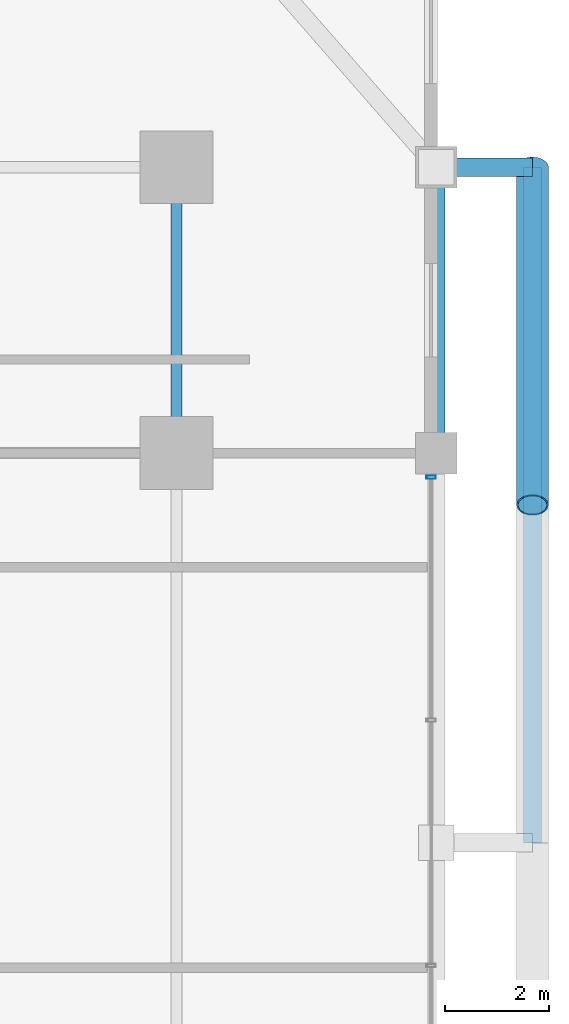
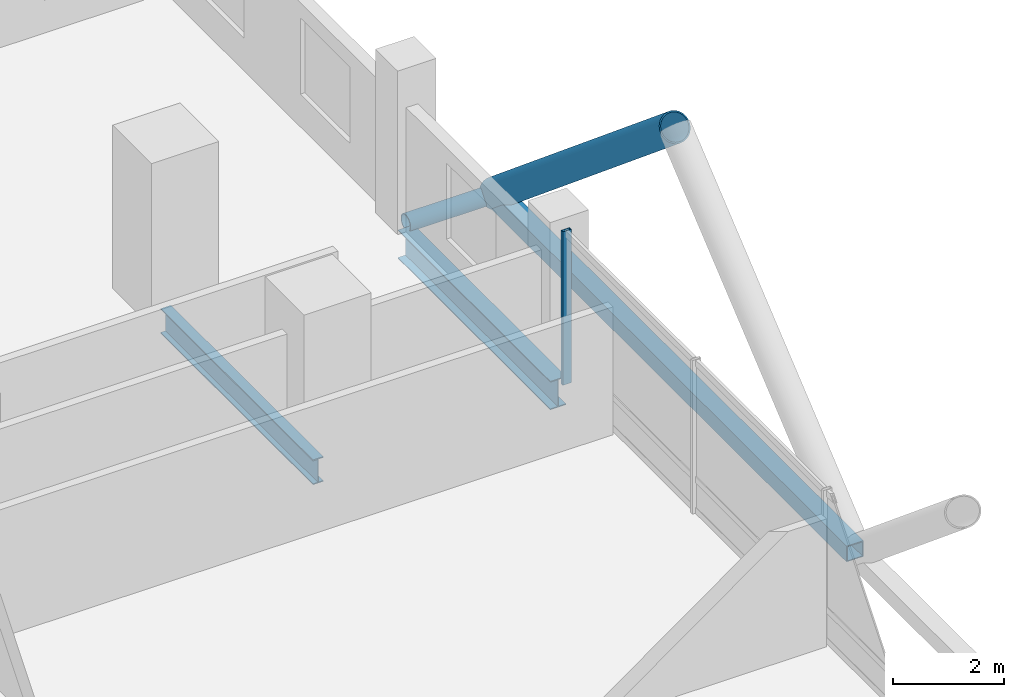
# One storey, part 19 of 26: 4 members, 2 beams, 1 element without a shape of its own.
"""IFC4 building model written with IfcOpenShell, lengths in metres."""

from ifc_helpers import new_model, si_unit, direction, frame, origin, origin_2d, place, context, subcontext, project, spatial, hollow_rectangle, hollow_circle, i_section, extrude, material, layer, layer_set, material_profile, profile_set, type_object, element, aggregate, save


model = new_model("IFC4")

# Units and contexts
model_context = context("Model", 3, precision=1e-05, world=origin(), true_north=direction((0.0, 1.0)))
body_context = subcontext(model_context, "Body", "Model", "MODEL_VIEW")
ifc_project = project(units=[si_unit("LENGTHUNIT", "METRE"), si_unit("AREAUNIT", "SQUARE_METRE"), si_unit("VOLUMEUNIT", "CUBIC_METRE"), si_unit("PLANEANGLEUNIT", "RADIAN"), si_unit("MASSUNIT", "GRAM", prefix="KILO")], contexts=[model_context])

# Site, building, storey
site_placement = place(None, origin())
site = spatial("IfcSite", under=ifc_project, at=site_placement, CompositionType="ELEMENT")
building_placement = place(site_placement, origin())
building = spatial("IfcBuilding", under=site, at=building_placement, Name="Barlavira Tower and Art Museum", CompositionType="ELEMENT")
storey_placement = place(building_placement, frame((0.0, 0.0, 82.800048828125)))
storey = spatial("IfcBuildingStorey", under=building, at=storey_placement, Name="L20", CompositionType="ELEMENT", Elevation=82.800048828125)

# Curtain wall, member
ifc_material_1 = material(Name="Low-iron coastal laminated glass", Category="glass")
ifc_layer = layer(ifc_material_1, 0.179931640625, Name="Low-iron coastal laminated glass")
ifc_layer_set = layer_set([ifc_layer], Name="Low-iron coastal laminated glass")
curtain_wall_type = type_object("IfcCurtainWallType", Name="Pale-Metal Unitised Curtain Wall Zone 1", PredefinedType="NOTDEFINED", material=ifc_layer_set)
curtain_wall_placement = place(storey_placement, origin())
curtain_wall = element("IfcCurtainWall", 1, at=curtain_wall_placement, inside=storey, type_object=curtain_wall_type, Name="L20 Curtain Wall CW1-L20-E-B3", PredefinedType="NOTDEFINED")
ifc_material_2 = material(Name="Pale anodised aluminium", Category="aluminium")
ifc_material_profile_1 = material_profile(ifc_material_2, hollow_rectangle(XDim=0.06494140625, YDim=0.179931640625, WallThickness=0.00390625, at=origin_2d()), Name="ALU-MULL 65x180x4")
ifc_profile_set_1 = profile_set([ifc_material_profile_1], Name="Pale anodised aluminium")
member_type_1 = type_object("IfcMemberType", Name="Curtain Wall Pale-Metal Mullion 65x180", PredefinedType="MULLION", material=ifc_profile_set_1)
member_1_placement = place(storey_placement, frame((21.89990234375, 7.034912109375, 0.0), z_axis=(0.0, 0.0, 1.0), x_axis=(0.0, 1.0, 0.0)))
member_1 = element("IfcMember", 2, at=member_1_placement, type_object=member_type_1, Name="CW1-L20-E-B3 Mullion 3", PredefinedType="MULLION", context=body_context, shape_type="SweptSolid", body=[
    extrude(hollow_rectangle(XDim=0.06494140625, YDim=0.179931640625, WallThickness=0.00390625, at=origin_2d()), origin(), (0.0, 0.0, 1.0), 3.3798828125),
])
aggregate(curtain_wall, [member_1])

# Members
ifc_material_3 = material(Name="Steel S355", Category="steel")
ifc_material_profile_2 = material_profile(ifc_material_3, hollow_circle(Radius=0.304931640625, WallThickness=0.028076171875, at=origin_2d()), Name="CHS 610.0x28.0")
ifc_profile_set_2 = profile_set([ifc_material_profile_2], Name="Steel S355")
member_type_2 = type_object("IfcMemberType", Name="Pale-Metal Exoskeleton Diagrid Tube CHS 610x28 Steel S355", PredefinedType="BRACE", material=ifc_profile_set_2)
member_2_placement = place(storey_placement, frame((23.85009765625, 13.0, -0.1201171875), z_axis=(0.0, -0.76918185268, 0.639029950399), x_axis=(1.0, 0.0, 0.0)))
element("IfcMember", 3, at=member_2_placement, inside=storey, type_object=member_type_2, Name="L20 Exoskeleton Diagrid Tube E", PredefinedType="BRACE", context=body_context, shape_type="SweptSolid", body=[
    extrude(hollow_circle(Radius=0.304931640625, WallThickness=0.028076171875, at=origin_2d()), origin(), (0.0, 0.0, 1.0), 8.450439453125),
])
ifc_material_profile_3 = material_profile(ifc_material_3, hollow_rectangle(XDim=0.35009765625, YDim=0.35009765625, WallThickness=0.02001953125, at=origin_2d()), Name="SHS 350x350x20.0")
ifc_profile_set_3 = profile_set([ifc_material_profile_3], Name="Steel S355")
member_type_3 = type_object("IfcMemberType", Name="Pale-Metal Exoskeleton Ring Strut SHS 350x350x20 Steel S355", PredefinedType="STRUT", material=ifc_profile_set_3)
member_3_placement = place(storey_placement, frame((23.85009765625, 0.0, -0.1201171875), z_axis=(0.0, 1.0, 0.0), x_axis=(-1.0, 0.0, 0.0)))
element("IfcMember", 4, at=member_3_placement, inside=storey, type_object=member_type_3, Name="L20 Exoskeleton Ring Strut E", PredefinedType="STRUT", context=body_context, shape_type="SweptSolid", body=[
    extrude(hollow_rectangle(XDim=0.35009765625, YDim=0.35009765625, WallThickness=0.02001953125, at=origin_2d()), origin(), (0.0, 0.0, 1.0), 13.0),
])
ifc_material_profile_4 = material_profile(ifc_material_3, hollow_circle(Radius=0.177734375, WallThickness=0.01611328125, at=origin_2d()), Name="CHS 355.6x16.0")
ifc_profile_set_4 = profile_set([ifc_material_profile_4], Name="Steel S355")
member_type_4 = type_object("IfcMemberType", Name="Pale-Metal Exoskeleton Tie Strut CHS 356x16 Steel S355", PredefinedType="STRUT", material=ifc_profile_set_4)
member_4_placement = place(storey_placement, frame((23.85009765625, 13.0, -0.1201171875), z_axis=(-1.0, 0.0, 0.0), x_axis=(0.0, -1.0, 0.0)))
element("IfcMember", 5, at=member_4_placement, inside=storey, type_object=member_type_4, Name="L20 Exoskeleton Tie Strut E3", PredefinedType="STRUT", context=body_context, shape_type="SweptSolid", body=[
    extrude(hollow_circle(Radius=0.177734375, WallThickness=0.01611328125, at=origin_2d()), origin(), (0.0, 0.0, 1.0), 1.85009765625),
])

# Beams
ifc_material_profile_5 = material_profile(ifc_material_3, i_section(OverallWidth=0.327880859375, OverallDepth=0.62890625, WebThickness=0.013916015625, FlangeThickness=0.021484375, at=origin_2d()), Name="W610x174.0")
ifc_profile_set_5 = profile_set([ifc_material_profile_5], Name="Steel S355")
beam_type_1 = type_object("IfcBeamType", Name="Perimeter Spandrel Edge Beam W610x174 Steel S355", PredefinedType="SPANDREL", material=ifc_profile_set_5)
beam_1_placement = place(storey_placement, frame((22.0, 7.5, -0.53466796875), z_axis=(0.0, 1.0, 0.0), x_axis=(-1.0, 0.0, 0.0)))
element("IfcBeam", 6, at=beam_1_placement, inside=storey, type_object=beam_type_1, Name="L20 Spandrel 7", PredefinedType="SPANDREL", context=body_context, shape_type="SweptSolid", body=[
    extrude(i_section(OverallWidth=0.327880859375, OverallDepth=0.62890625, WebThickness=0.013916015625, FlangeThickness=0.021484375, at=origin_2d()), origin(), (0.0, 0.0, 1.0), 5.5),
])
ifc_material_profile_6 = material_profile(ifc_material_3, i_section(OverallWidth=0.214111328125, OverallDepth=0.549072265625, WebThickness=0.0146484375, FlangeThickness=0.023681640625, at=origin_2d()), Name="W530x138.0")
ifc_profile_set_6 = profile_set([ifc_material_profile_6], Name="Steel S355")
beam_type_2 = type_object("IfcBeamType", Name="Zone 1 Primary Floor Girder W530x138 Steel S355", PredefinedType="BEAM", material=ifc_profile_set_6)
beam_2_placement = place(storey_placement, frame((17.0, 7.5, -0.49462890625), z_axis=(0.0, 1.0, 0.0), x_axis=(-1.0, 0.0, 0.0)))
element("IfcBeam", 7, at=beam_2_placement, inside=storey, type_object=beam_type_2, Name="L20 Girder M-E3", PredefinedType="BEAM", context=body_context, shape_type="SweptSolid", body=[
    extrude(i_section(OverallWidth=0.214111328125, OverallDepth=0.549072265625, WebThickness=0.0146484375, FlangeThickness=0.023681640625, at=origin_2d()), origin(), (0.0, 0.0, 1.0), 5.5),
])

save(model, "model.ifc")
